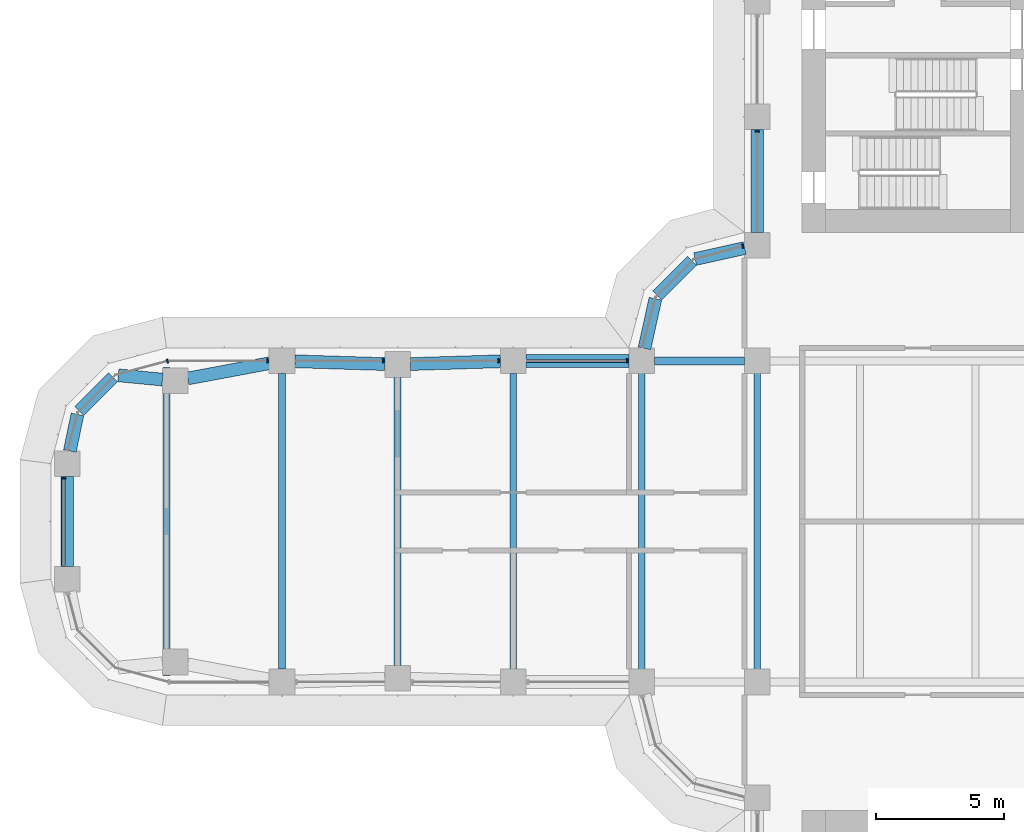
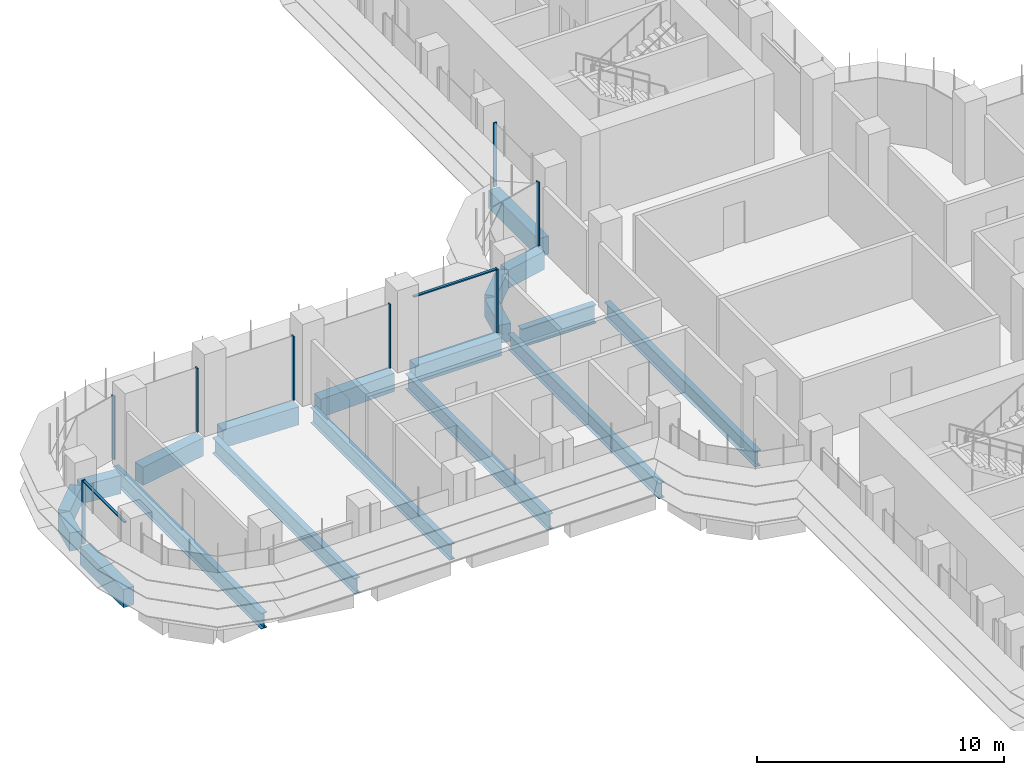
# One storey, part 6 of 23: 19 beams, 10 members, 5 elements without a shape of their own.
"""IFC4 building model written with IfcOpenShell, lengths in metres."""

import ifcopenshell
import ifcopenshell.guid

model = None  # the IFC model being written
_history = None  # IfcOwnerHistory: only IFC2X3 demands one
_inside = {}  # id of a spatial element -> (the spatial element, [elements in it])
_under = {}  # id of a project, library or spatial element -> (it, [spatial elements below it])
_declared = {}  # id of a project -> (the project, [libraries it declares])
_typed = {}  # id of a type object -> (the type object, [elements of that type])
_made_of = {}  # id of a material, layer set ... -> (it, [elements and type objects made of it])


def new_model(schema):
    """Start an empty IFC model of exactly this schema.

    Asked for "IFC4X3", IfcOpenShell would pick the latest addendum, in which some entities
    have other attributes; the version numbers below select the first issue.
    IFC2X3 requires an IfcOwnerHistory on every rooted entity: one is made here for all.
    """
    global model, _history
    if schema == "IFC4X3":
        model = ifcopenshell.file(schema_version=(4, 3, 0, 0))
    else:
        model = ifcopenshell.file(schema=schema)
    _inside.clear()
    _under.clear()
    _declared.clear()
    _typed.clear()
    _made_of.clear()
    _history = None
    if model.schema == "IFC2X3":
        org = make("IfcOrganization", Name="unknown")
        user = make(
            "IfcPersonAndOrganization",
            ThePerson=make("IfcPerson", FamilyName="unknown"),
            TheOrganization=org,
        )
        app = make(
            "IfcApplication",
            ApplicationDeveloper=org,
            Version="unknown",
            ApplicationFullName="unknown",
            ApplicationIdentifier="unknown",
        )
        _history = make(
            "IfcOwnerHistory",
            OwningUser=user,
            OwningApplication=app,
            ChangeAction="ADDED",
            CreationDate=0,
        )
    return model


def make(cls, **values):
    """One entity of the class cls with the attributes given. An attribute that is None is left unset."""
    return model.create_entity(
        cls, **{name: value for name, value in values.items() if value is not None}
    )


def rooted(cls, **values):
    """An entity with a GlobalId (a new one), such as an element, a storey or a relation."""
    return make(cls, GlobalId=ifcopenshell.guid.new(), OwnerHistory=_history, **values)


def si_unit(unit_type, name, prefix=None):
    """IfcSIUnit, for example si_unit("LENGTHUNIT", "METRE", prefix="MILLI")."""
    return make("IfcSIUnit", UnitType=unit_type, Prefix=prefix, Name=name)


def assignment(units):
    """IfcUnitAssignment: the units of a project."""
    return None if units is None else make("IfcUnitAssignment", Units=units)


def point(xyz):
    """IfcCartesianPoint."""
    return None if xyz is None else make("IfcCartesianPoint", Coordinates=xyz)


def direction(xyz):
    """IfcDirection."""
    return None if xyz is None else make("IfcDirection", DirectionRatios=xyz)


def frame(location, z_axis=None, x_axis=None):
    """IfcAxis2Placement3D, a coordinate frame: its origin and axes. An axis left out is left unset."""
    return make(
        "IfcAxis2Placement3D",
        Location=point(location),
        Axis=direction(z_axis),
        RefDirection=direction(x_axis),
    )


def frame_2d(location, x_axis=None):
    """IfcAxis2Placement2D, a coordinate frame in the plane: its origin and x axis."""
    return make(
        "IfcAxis2Placement2D", Location=point(location), RefDirection=direction(x_axis)
    )


def origin():
    """The frame at (0, 0, 0) with its axes left unset."""
    return frame((0.0, 0.0, 0.0))


def origin_2d():
    """The frame at (0, 0) in the plane with its x axis left unset."""
    return frame_2d((0.0, 0.0))


def place(relative_to, where):
    """IfcLocalPlacement: puts the frame where relative to a parent placement (None: the world)."""
    return make(
        "IfcLocalPlacement", PlacementRelTo=relative_to, RelativePlacement=where
    )


def context(
    kind, dimensions, precision=None, world=None, true_north=None, identifier=None
):
    """IfcGeometricRepresentationContext, for example the 3D "Model" context."""
    return make(
        "IfcGeometricRepresentationContext",
        ContextIdentifier=identifier,
        ContextType=kind,
        CoordinateSpaceDimension=dimensions,
        Precision=precision,
        WorldCoordinateSystem=world,
        TrueNorth=true_north,
    )


def subcontext(parent, identifier, kind, view, scale=None):
    """IfcGeometricRepresentationSubContext, for example "Body" below "Model"."""
    return make(
        "IfcGeometricRepresentationSubContext",
        ContextIdentifier=identifier,
        ContextType=kind,
        ParentContext=parent,
        TargetScale=scale,
        TargetView=view,
    )


def project(units=None, contexts=None):
    """IfcProject with its units and contexts."""
    return rooted(
        "IfcProject",
        Name="project",
        RepresentationContexts=contexts,
        UnitsInContext=assignment(units),
    )


def spatial(cls, under=None, at=None, **own):
    """A site, building, storey or space (cls), placed at a placement, below another one or the project."""
    s = rooted(cls, ObjectPlacement=at, **own)
    if under is not None:
        _under.setdefault(under.id(), (under, []))[1].append(s)
    return s


def polyline(points):
    """IfcPolyline through the points."""
    return make("IfcPolyline", Points=[point(p) for p in points])


def profile(cls, at=None, kind="AREA", **sizes):
    """A parametric profile (cls). Its sizes go by their IFC names, for example OverallWidth=200.0."""
    return make(cls, ProfileType=kind, Position=at, **sizes)


def rectangle(**sizes):
    """IfcRectangleProfileDef."""
    return profile("IfcRectangleProfileDef", **sizes)


def i_section(**sizes):
    """IfcIShapeProfileDef."""
    return profile("IfcIShapeProfileDef", **sizes)


def outline(outer, holes=None, kind="AREA"):
    """IfcArbitraryClosedProfileDef: a profile drawn as a closed curve; with holes, ...WithVoids."""
    if holes is None:
        return make("IfcArbitraryClosedProfileDef", ProfileType=kind, OuterCurve=outer)
    return make(
        "IfcArbitraryProfileDefWithVoids",
        ProfileType=kind,
        OuterCurve=outer,
        InnerCurves=holes,
    )


def extrude(swept, where, along, depth):
    """IfcExtrudedAreaSolid: the profile swept, set in the frame where, extruded along a direction by depth."""
    return make(
        "IfcExtrudedAreaSolid",
        SweptArea=swept,
        Position=where,
        ExtrudedDirection=direction(along),
        Depth=depth,
    )


def shape(context_of_items, identifier, shape_type, items):
    """IfcShapeRepresentation: the items that make up one representation, for example the "Body"."""
    return make(
        "IfcShapeRepresentation",
        ContextOfItems=context_of_items,
        RepresentationIdentifier=identifier,
        RepresentationType=shape_type,
        Items=items,
    )


def source(mapping_origin, context_of_items, identifier, shape_type, items):
    """IfcRepresentationMap: a shape defined once, which mapped items show again and again."""
    return make(
        "IfcRepresentationMap",
        MappingOrigin=mapping_origin,
        MappedRepresentation=shape(context_of_items, identifier, shape_type, items),
    )


def transform(
    local_origin,
    x_axis=None,
    y_axis=None,
    z_axis=None,
    scale=None,
    scale2=None,
    scale3=None,
    uniform=True,
):
    """IfcCartesianTransformationOperator3D, or its non-uniform kind. x_axis, y_axis, z_axis: its Axis1, 2, 3."""
    if uniform:
        return make(
            "IfcCartesianTransformationOperator3D",
            Axis1=direction(x_axis),
            Axis2=direction(y_axis),
            LocalOrigin=point(local_origin),
            Scale=scale,
            Axis3=direction(z_axis),
        )
    return make(
        "IfcCartesianTransformationOperator3DnonUniform",
        Axis1=direction(x_axis),
        Axis2=direction(y_axis),
        LocalOrigin=point(local_origin),
        Scale=scale,
        Axis3=direction(z_axis),
        Scale2=scale2,
        Scale3=scale3,
    )


def mapped(mapping_source, mapping_target):
    """IfcMappedItem: shows the shape of a source again, moved by a transform."""
    return make(
        "IfcMappedItem", MappingSource=mapping_source, MappingTarget=mapping_target
    )


def material(Name=None, Category=None):
    """IfcMaterial."""
    return make("IfcMaterial", Name=Name, Category=Category)


def material_profile(
    of_material, cross_section, Name=None, Category=None, Priority=None
):
    """IfcMaterialProfile: a cross section and its material."""
    return make(
        "IfcMaterialProfile",
        Name=Name,
        Material=of_material,
        Profile=cross_section,
        Priority=Priority,
        Category=Category,
    )


def profile_set(profiles, Name=None, composite=None):
    """IfcMaterialProfileSet."""
    return make(
        "IfcMaterialProfileSet",
        Name=Name,
        MaterialProfiles=profiles,
        CompositeProfile=composite,
    )


def made_of(thing, what):
    """Note that an element or type object is made of a material, layer set ...; save() writes the relation."""
    if what is not None:
        _made_of.setdefault(what.id(), (what, []))[1].append(thing)
    return thing


def type_object(cls, material=None, **own):
    """A type object (cls), such as IfcWallType, which elements share."""
    return made_of(rooted(cls, **own), material)


def element(
    cls,
    number,
    at=None,
    inside=None,
    cuts=None,
    type_object=None,
    material=None,
    context=None,
    identifier="Body",
    shape_type=None,
    held_by="IfcProductDefinitionShape",
    body=None,
    shapes=None,
    **own,
):
    """One element of the class cls, such as IfcWall. Its Tag is "e" and its number.

    at: its placement. inside: the storey or other place that contains it. cuts: it is an
    opening in that element (IfcRelVoidsElement). A single representation is given by context,
    identifier, shape_type and body (its items); several are given by shapes. held_by: the class
    of the entity that holds the representations. save() writes the other relations.
    """
    e = rooted(cls, Tag="e%d" % number, ObjectPlacement=at, **own)
    if body is not None:
        shapes = [shape(context, identifier, shape_type, body)]
    if shapes is not None:
        e.Representation = make(held_by, Representations=shapes)
    if inside is not None:
        _inside.setdefault(inside.id(), (inside, []))[1].append(e)
    if cuts is not None:
        rooted(
            "IfcRelVoidsElement", RelatingBuildingElement=cuts, RelatedOpeningElement=e
        )
    if type_object is not None:
        _typed.setdefault(type_object.id(), (type_object, []))[1].append(e)
    return made_of(e, material)


def aggregate(whole, parts):
    """IfcRelAggregates: a whole, such as a stair, and the parts it consists of."""
    return rooted("IfcRelAggregates", RelatingObject=whole, RelatedObjects=parts)


def save(model, path):
    """Write the relations noted so far, then the file.

    IfcRelAggregates (storeys below a building ...), IfcRelContainedInSpatialStructure (elements
    in a storey), IfcRelDefinesByType, IfcRelAssociatesMaterial and IfcRelDeclares: one each for
    every whole, place, type object, material and project.
    """
    for whole, parts in _under.values():
        aggregate(whole, parts)
    for where, things in _inside.values():
        rooted(
            "IfcRelContainedInSpatialStructure",
            RelatedElements=things,
            RelatingStructure=where,
        )
    for kind, things in _typed.values():
        rooted("IfcRelDefinesByType", RelatedObjects=things, RelatingType=kind)
    for what, things in _made_of.values():
        rooted("IfcRelAssociatesMaterial", RelatedObjects=things, RelatingMaterial=what)
    for by, libraries in _declared.values():
        rooted("IfcRelDeclares", RelatingContext=by, RelatedDefinitions=libraries)
    model.write(path)


model = new_model("IFC4")

# Units and contexts
model_context = context("Model", 3, precision=1e-05, world=origin(), true_north=direction((0.0, 1.0)))
body_context = subcontext(model_context, "Body", "Model", "MODEL_VIEW")
ifc_project = project(units=[si_unit("LENGTHUNIT", "METRE"), si_unit("AREAUNIT", "SQUARE_METRE"), si_unit("VOLUMEUNIT", "CUBIC_METRE"), si_unit("PLANEANGLEUNIT", "RADIAN"), si_unit("MASSUNIT", "GRAM", prefix="KILO")], contexts=[model_context])

# Site, building, storey
site_placement = place(None, origin())
site = spatial("IfcSite", under=ifc_project, at=site_placement, CompositionType="ELEMENT")
building_placement = place(site_placement, origin())
building = spatial("IfcBuilding", under=site, at=building_placement, Name="Zarbagh Exchange Tower", CompositionType="ELEMENT")
storey_placement = place(building_placement, frame((0.0, 0.0, 43.800048828125)))
storey = spatial("IfcBuildingStorey", under=building, at=storey_placement, Name="L09", CompositionType="ELEMENT", Elevation=43.800048828125)

# Beams
ifc_material_1 = material(Name="Steel ASTM A992 Gr 50", Category="steel")
ifc_material_profile_1 = material_profile(ifc_material_1, i_section(OverallWidth=0.2666015625, OverallDepth=0.76708984375, WebThickness=0.014892578125, FlangeThickness=0.023681640625, at=origin_2d()), Name="W30X124")
ifc_profile_set_1 = profile_set([ifc_material_profile_1], Name="Steel ASTM A992 Gr 50")
beam_type_1 = type_object("IfcBeamType", Name="Floor beam W30X124", PredefinedType="BEAM", material=ifc_profile_set_1)
for number, where, z_axis, x_axis, name in (
    (1, (-10.75, -6.09765625, -0.533447265625), (0.0, 1.0, 0.0), (-1.0, 0.0, 0.0), "Steel floor beam"),
    (2, (-6.25, -6.09765625, -0.533447265625), (0.0, 1.0, 0.0), (-1.0, 0.0, 0.0), "Steel floor beam"),
):
    element("IfcBeam", number, at=place(storey_placement, frame(where, z_axis=z_axis, x_axis=x_axis)), inside=storey, type_object=beam_type_1, Name=name, PredefinedType="BEAM", context=body_context, shape_type="SweptSolid", body=[
        extrude(i_section(OverallWidth=0.2666015625, OverallDepth=0.76708984375, WebThickness=0.014892578125, FlangeThickness=0.023681640625, at=origin_2d()), origin(), (0.0, 0.0, 1.0), 12.1953125),
    ])
beam_1_placement = place(storey_placement, frame((-15.75, -5.75, -0.533447265625), z_axis=(0.0, 1.0, 0.0), x_axis=(-1.0, 0.0, 0.0)))
element("IfcBeam", 3, at=beam_1_placement, inside=storey, type_object=beam_type_1, Name="Steel floor beam", PredefinedType="BEAM", context=body_context, shape_type="SweptSolid", body=[
    extrude(i_section(OverallWidth=0.2666015625, OverallDepth=0.76708984375, WebThickness=0.014892578125, FlangeThickness=0.023681640625, at=origin_2d()), origin(), (0.0, 0.0, 1.0), 11.5),
])
beam_2_placement = place(storey_placement, frame((-20.25, -5.610107421875, -0.533447265625), z_axis=(0.0, 1.0, 0.0), x_axis=(-1.0, 0.0, 0.0)))
element("IfcBeam", 4, at=beam_2_placement, inside=storey, type_object=beam_type_1, Name="Steel floor beam", PredefinedType="BEAM", context=body_context, shape_type="SweptSolid", body=[
    extrude(i_section(OverallWidth=0.2666015625, OverallDepth=0.76708984375, WebThickness=0.014892578125, FlangeThickness=0.023681640625, at=origin_2d()), origin(), (0.0, 0.0, 1.0), 11.22021484375),
])
beam_3_placement = place(storey_placement, frame((-24.75, -5.75, -0.533447265625), z_axis=(0.0, 1.0, 0.0), x_axis=(-1.0, 0.0, 0.0)))
element("IfcBeam", 5, at=beam_3_placement, inside=storey, type_object=beam_type_1, Name="Steel floor beam", PredefinedType="BEAM", context=body_context, shape_type="SweptSolid", body=[
    extrude(i_section(OverallWidth=0.2666015625, OverallDepth=0.76708984375, WebThickness=0.014892578125, FlangeThickness=0.023681640625, at=origin_2d()), origin(), (0.0, 0.0, 1.0), 11.5),
])
beam_4_placement = place(storey_placement, frame((-29.25, -6.0, -0.533447265625), z_axis=(0.0, 1.0, 0.0), x_axis=(-1.0, 0.0, 0.0)))
element("IfcBeam", 6, at=beam_4_placement, inside=storey, type_object=beam_type_1, Name="Steel floor beam", PredefinedType="BEAM", context=body_context, shape_type="SweptSolid", body=[
    extrude(i_section(OverallWidth=0.2666015625, OverallDepth=0.76708984375, WebThickness=0.014892578125, FlangeThickness=0.023681640625, at=origin_2d()), origin(), (0.0, 0.0, 1.0), 12.0),
])
ifc_material_profile_2 = material_profile(ifc_material_1, i_section(OverallWidth=0.3046875, OverallDepth=0.91943359375, WebThickness=0.017333984375, FlangeThickness=0.02783203125, at=origin_2d()), Name="W36X170")
ifc_profile_set_2 = profile_set([ifc_material_profile_2], Name="Steel ASTM A992 Gr 50")
beam_type_2 = type_object("IfcBeamType", Name="Floor girder W36X170", PredefinedType="BEAM", material=ifc_profile_set_2)
beam_5_placement = place(storey_placement, frame((-10.25, 6.25, -0.60986328125), z_axis=(1.0, 0.0, 0.0), x_axis=(0.0, 1.0, 0.0)))
element("IfcBeam", 7, at=beam_5_placement, inside=storey, type_object=beam_type_2, Name="Steel girder", PredefinedType="BEAM", context=body_context, shape_type="SweptSolid", body=[
    extrude(i_section(OverallWidth=0.3046875, OverallDepth=0.91943359375, WebThickness=0.017333984375, FlangeThickness=0.02783203125, at=origin_2d()), origin(), (0.0, 0.0, 1.0), 3.5),
])
ifc_material_2 = material(Name="Concrete C60/75", Category="concrete")
ifc_material_profile_3 = material_profile(ifc_material_2, rectangle(XDim=0.5, YDim=0.89990234375, at=origin_2d()), Name="RC spandrel beam 500 x 900 C60/75")
ifc_profile_set_3 = profile_set([ifc_material_profile_3], Name="Concrete C60/75")
beam_type_3 = type_object("IfcBeamType", Name="RC spandrel beam 500 x 900 C60/75", PredefinedType="SPANDREL", material=ifc_profile_set_3)
beam_6_placement = place(storey_placement, frame((-33.110107421875, -1.75, -0.60009765625), z_axis=(0.0, 1.0, 0.0), x_axis=(-1.0, 0.0, 0.0)))
element("IfcBeam", 8, at=beam_6_placement, inside=storey, type_object=beam_type_3, Name="RC spandrel beam", PredefinedType="SPANDREL", context=body_context, shape_type="SweptSolid", body=[
    extrude(rectangle(XDim=0.5, YDim=0.89990234375, at=origin_2d()), origin(), (0.0, 0.0, 1.0), 3.5),
])
beam_7_placement = place(storey_placement, frame((-33.0087890625, 2.73974609375, -0.60009765625), z_axis=(0.202068589164, 0.9793713725, 0.0), x_axis=(-0.9793713725, 0.202068589164, 0.0)))
element("IfcBeam", 9, at=beam_7_placement, inside=storey, type_object=beam_type_3, Name="RC spandrel beam", PredefinedType="SPANDREL", context=body_context, shape_type="SweptSolid", body=[
    extrude(rectangle(XDim=0.5, YDim=0.89990234375, at=origin_2d()), origin(), (0.0, 0.0, 1.0), 1.458251953125),
])
beam_8_placement = place(storey_placement, frame((-32.64599609375, 4.294189453125, -0.60009765625), z_axis=(0.707172099812, 0.707041456527, 0.0), x_axis=(-0.707041456527, 0.707172099812, 0.0)))
element("IfcBeam", 10, at=beam_8_placement, inside=storey, type_object=beam_type_3, Name="RC spandrel beam", PredefinedType="SPANDREL", context=body_context, shape_type="SweptSolid", body=[
    extrude(rectangle(XDim=0.5, YDim=0.89990234375, at=origin_2d()), origin(), (0.0, 0.0, 1.0), 1.86865234375),
])
beam_9_placement = place(storey_placement, frame((-31.123779296875, 5.6875, -0.60009765625), z_axis=(0.995431032456, -0.095483294999, 0.0), x_axis=(0.095483294999, 0.995431032456, 0.0)))
element("IfcBeam", 11, at=beam_9_placement, inside=storey, type_object=beam_type_3, Name="RC spandrel beam", PredefinedType="SPANDREL", context=body_context, shape_type="SweptSolid", body=[
    extrude(rectangle(XDim=0.5, YDim=0.89990234375, at=origin_2d()), origin(), (0.0, 0.0, 1.0), 1.725830078125),
])
beam_10_placement = place(storey_placement, frame((-28.41650390625, 5.566650390625, -0.60009765625), z_axis=(0.983069300761, 0.183234139565, 0.0), x_axis=(-0.183234139565, 0.983069300761, 0.0)))
element("IfcBeam", 12, at=beam_10_placement, inside=storey, type_object=beam_type_3, Name="RC spandrel beam", PredefinedType="SPANDREL", context=body_context, shape_type="SweptSolid", body=[
    extrude(rectangle(XDim=0.5, YDim=0.89990234375, at=origin_2d()), origin(), (0.0, 0.0, 1.0), 3.229736328125),
])
for number, where, z_axis, x_axis, name in (
    (13, (-24.250244140625, 6.234619140625, -0.60009765625), (0.999514385708, -0.031160756759, 0.0), (0.031160756759, 0.999514385708, 0.0), "RC spandrel beam"),
    (14, (-19.750244140625, 6.12548828125, -0.60009765625), (0.999514385708, 0.031160756759, 0.0), (-0.031160756759, 0.999514385708, 0.0), "RC spandrel beam"),
):
    element("IfcBeam", number, at=place(storey_placement, frame(where, z_axis=z_axis, x_axis=x_axis)), inside=storey, type_object=beam_type_3, Name=name, PredefinedType="SPANDREL", context=body_context, shape_type="SweptSolid", body=[
        extrude(rectangle(XDim=0.5, YDim=0.89990234375, at=origin_2d()), origin(), (0.0, 0.0, 1.0), 3.502197265625),
    ])
beam_11_placement = place(storey_placement, frame((-15.25, 6.25, -0.60009765625), z_axis=(1.0, 0.0, 0.0), x_axis=(0.0, 1.0, 0.0)))
element("IfcBeam", 15, at=beam_11_placement, inside=storey, type_object=beam_type_3, Name="RC spandrel beam", PredefinedType="SPANDREL", context=body_context, shape_type="SweptSolid", body=[
    extrude(rectangle(XDim=0.5, YDim=0.89990234375, at=origin_2d()), origin(), (0.0, 0.0, 1.0), 4.0),
])
beam_12_placement = place(storey_placement, frame((-10.64208984375, 6.73828125, -0.60009765625), z_axis=(0.216081063242, 0.976375426825, 0.0), x_axis=(-0.976375426825, 0.216081063242, 0.0)))
element("IfcBeam", 16, at=beam_12_placement, inside=storey, type_object=beam_type_3, Name="RC spandrel beam", PredefinedType="SPANDREL", context=body_context, shape_type="SweptSolid", body=[
    extrude(rectangle(XDim=0.5, YDim=0.89990234375, at=origin_2d()), origin(), (0.0, 0.0, 1.0), 1.978271484375),
])
beam_13_placement = place(storey_placement, frame((-10.147216796875, 8.792724609375, -0.60009765625), z_axis=(0.707106781187, 0.707106781187, 0.0), x_axis=(-0.707106781187, 0.707106781187, 0.0)))
element("IfcBeam", 17, at=beam_13_placement, inside=storey, type_object=beam_type_3, Name="RC spandrel beam", PredefinedType="SPANDREL", context=body_context, shape_type="SweptSolid", body=[
    extrude(rectangle(XDim=0.5, YDim=0.89990234375, at=origin_2d()), origin(), (0.0, 0.0, 1.0), 1.91552734375),
])
beam_14_placement = place(storey_placement, frame((-8.669921875, 10.214599609375, -0.60009765625), z_axis=(0.976375426825, 0.216081063242, 0.0), x_axis=(-0.216081063242, 0.976375426825, 0.0)))
element("IfcBeam", 18, at=beam_14_placement, inside=storey, type_object=beam_type_3, Name="RC spandrel beam", PredefinedType="SPANDREL", context=body_context, shape_type="SweptSolid", body=[
    extrude(rectangle(XDim=0.5, YDim=0.89990234375, at=origin_2d()), origin(), (0.0, 0.0, 1.0), 1.978271484375),
])
beam_15_placement = place(storey_placement, frame((-6.25, 11.25, -0.60009765625), z_axis=(0.0, 1.0, 0.0), x_axis=(-1.0, 0.0, 0.0)))
element("IfcBeam", 19, at=beam_15_placement, inside=storey, type_object=beam_type_3, Name="RC spandrel beam", PredefinedType="SPANDREL", context=body_context, shape_type="SweptSolid", body=[
    extrude(rectangle(XDim=0.5, YDim=0.89990234375, at=origin_2d()), origin(), (0.0, 0.0, 1.0), 4.0),
])

# Curtain wall, member
ifc_material_3 = material(Name="Anodised aluminium frame and glazing", Category="aluminium")
curtain_wall_type = type_object("IfcCurtainWallType", Name="CWA Ribbon glazing, lower zones", PredefinedType="NOTDEFINED", material=ifc_material_3)
curtain_wall_1_placement = place(storey_placement, origin())
curtain_wall_1 = element("IfcCurtainWall", 20, at=curtain_wall_1_placement, inside=storey, type_object=curtain_wall_type, Name="CWA28 curtain wall", PredefinedType="NOTDEFINED")
ifc_material_4 = material(Name="Anodised aluminium frame", Category="aluminium")
member_type_1 = type_object("IfcMemberType", Name="MUA Mullion, anodised aluminium frame", PredefinedType="MULLION", material=ifc_material_4)
shared_shape_1 = source(origin(), body_context, "Body", "SweptSolid", [
    extrude(outline(polyline([(0.0, -0.080078125), (0.06005859375, -0.080078125), (0.06005859375, 0.080078125), (0.0, 0.080078125), (0.0, -0.080078125)])), origin(), (0.0, 0.0, 1.0), 3.14990234375),
])
placement = place(storey_placement, origin())
member_1 = element("IfcMember", 21, at=placement, type_object=member_type_1, Name="CWA28 mullion 5.1", PredefinedType="MULLION", context=body_context, shape_type="MappedRepresentation", body=[
    mapped(shared_shape_1, transform((-6.25, 15.2099609375, 0.0), x_axis=(0.0, -1.0, 0.0), y_axis=(1.0, 0.0, 0.0), z_axis=(0.0, 0.0, 1.0))),
])
aggregate(curtain_wall_1, [member_1])

curtain_wall_2_placement = place(storey_placement, origin())
curtain_wall_2 = element("IfcCurtainWall", 22, at=curtain_wall_2_placement, inside=storey, type_object=curtain_wall_type, Name="CWA29 curtain wall", PredefinedType="NOTDEFINED")
member_2 = element("IfcMember", 23, at=placement, type_object=member_type_1, Name="CWA29 mullion 1.1", PredefinedType="MULLION", context=body_context, shape_type="MappedRepresentation", body=[
    mapped(shared_shape_1, transform((-6.7900390625, 10.7216796875, 0.0), x_axis=(-0.965924289636, -0.258824779902, 0.0), y_axis=(0.258824779902, -0.965924289636, 0.0), z_axis=(0.0, 0.0, 1.0))),
])
aggregate(curtain_wall_2, [member_2])

# Curtain wall, members
curtain_wall_3_placement = place(storey_placement, origin())
curtain_wall_3 = element("IfcCurtainWall", 24, at=curtain_wall_3_placement, inside=storey, type_object=curtain_wall_type, Name="CWA32 curtain wall", PredefinedType="NOTDEFINED")
member_3 = element("IfcMember", 25, at=placement, type_object=member_type_1, Name="CWA32 mullion 1.1", PredefinedType="MULLION", context=body_context, shape_type="MappedRepresentation", body=[
    mapped(shared_shape_1, transform((-11.2900390625, 6.25, 0.0), x_axis=(-1.0, 0.0, 0.0), y_axis=(0.0, -1.0, 0.0), z_axis=(0.0, 0.0, 1.0))),
])
member_4 = element("IfcMember", 26, at=placement, type_object=member_type_1, Name="CWA32 mullion 2.1", PredefinedType="MULLION", context=body_context, shape_type="MappedRepresentation", body=[
    mapped(shared_shape_1, transform((-16.2900390625, 6.25, 0.0), x_axis=(-1.0, 0.0, 0.0), y_axis=(0.0, -1.0, 0.0), z_axis=(0.0, 0.0, 1.0))),
])
member_5 = element("IfcMember", 27, at=placement, type_object=member_type_1, Name="CWA32 mullion 3.1", PredefinedType="MULLION", context=body_context, shape_type="MappedRepresentation", body=[
    mapped(shared_shape_1, transform((-20.7900390625, 6.25, 0.0), x_axis=(-1.0, 0.0, 0.0), y_axis=(0.0, -1.0, 0.0), z_axis=(0.0, 0.0, 1.0))),
])
member_6 = element("IfcMember", 28, at=placement, type_object=member_type_1, Name="CWA32 mullion 4.1", PredefinedType="MULLION", context=body_context, shape_type="MappedRepresentation", body=[
    mapped(shared_shape_1, transform((-25.2900390625, 6.25, 0.0), x_axis=(-1.0, 0.0, 0.0), y_axis=(0.0, -1.0, 0.0), z_axis=(0.0, 0.0, 1.0))),
])

# Curtain wall, member
curtain_wall_4_placement = place(storey_placement, origin())
curtain_wall_4 = element("IfcCurtainWall", 29, at=curtain_wall_4_placement, inside=storey, type_object=curtain_wall_type, Name="CWA33 curtain wall", PredefinedType="NOTDEFINED")
member_7 = element("IfcMember", 30, at=placement, type_object=member_type_1, Name="CWA33 mullion 1.1", PredefinedType="MULLION", context=body_context, shape_type="MappedRepresentation", body=[
    mapped(shared_shape_1, transform((-29.18408203125, 6.25, 0.0), x_axis=(-0.965924289636, -0.258824779902, 0.0), y_axis=(0.258824779902, -0.965924289636, 0.0), z_axis=(0.0, 0.0, 1.0))),
])
aggregate(curtain_wall_4, [member_7])

curtain_wall_5_placement = place(storey_placement, origin())
curtain_wall_5 = element("IfcCurtainWall", 31, at=curtain_wall_5_placement, inside=storey, type_object=curtain_wall_type, Name="CWA36 curtain wall", PredefinedType="NOTDEFINED")
member_8 = element("IfcMember", 32, at=placement, type_object=member_type_1, Name="CWA36 mullion 1.1", PredefinedType="MULLION", context=body_context, shape_type="MappedRepresentation", body=[
    mapped(shared_shape_1, transform((-33.25, 1.7099609375, 0.0), x_axis=(0.0, -1.0, 0.0), y_axis=(1.0, 0.0, 0.0), z_axis=(0.0, 0.0, 1.0))),
])

# Member
member_type_2 = type_object("IfcMemberType", Name="TRA Transom, anodised aluminium frame", PredefinedType="USERDEFINED", material=ifc_material_4)
shared_shape_2 = source(origin(), body_context, "Body", "SweptSolid", [
    extrude(outline(polyline([(-0.06005859375, -0.06005859375), (0.0, -0.06005859375), (0.0, 0.06005859375), (-0.06005859375, 0.06005859375), (-0.06005859375, -0.06005859375)])), origin(), (0.0, 0.0, 1.0), 3.860107421875),
])
member_9 = element("IfcMember", 33, at=placement, type_object=member_type_2, Name="CWA32 transom 1.1", ObjectType="TRANSOM", PredefinedType="USERDEFINED", context=body_context, shape_type="MappedRepresentation", body=[
    mapped(shared_shape_2, transform((-11.35009765625, 6.25, 3.14990234375), x_axis=(0.0, 0.0, 1.0), y_axis=(0.0, 1.0, 0.0), z_axis=(-1.0, 0.0, 0.0))),
])

aggregate(curtain_wall_3, [member_3, member_9, member_4, member_5, member_6])

shared_shape_3 = source(origin(), body_context, "Body", "SweptSolid", [
    extrude(outline(polyline([(-0.06005859375, -0.06005859375), (0.0, -0.06005859375), (0.0, 0.06005859375), (-0.06005859375, 0.06005859375), (-0.06005859375, -0.06005859375)])), origin(), (0.0, 0.0, 1.0), 3.360107421875),
])
member_10 = element("IfcMember", 34, at=placement, type_object=member_type_2, Name="CWA36 transom 1.1", ObjectType="TRANSOM", PredefinedType="USERDEFINED", context=body_context, shape_type="MappedRepresentation", body=[
    mapped(shared_shape_3, transform((-33.25, 1.64990234375, 3.14990234375), x_axis=(0.0, 0.0, 1.0), y_axis=(-1.0, 0.0, 0.0), z_axis=(0.0, -1.0, 0.0))),
])

aggregate(curtain_wall_5, [member_8, member_10])

save(model, "model.ifc")
